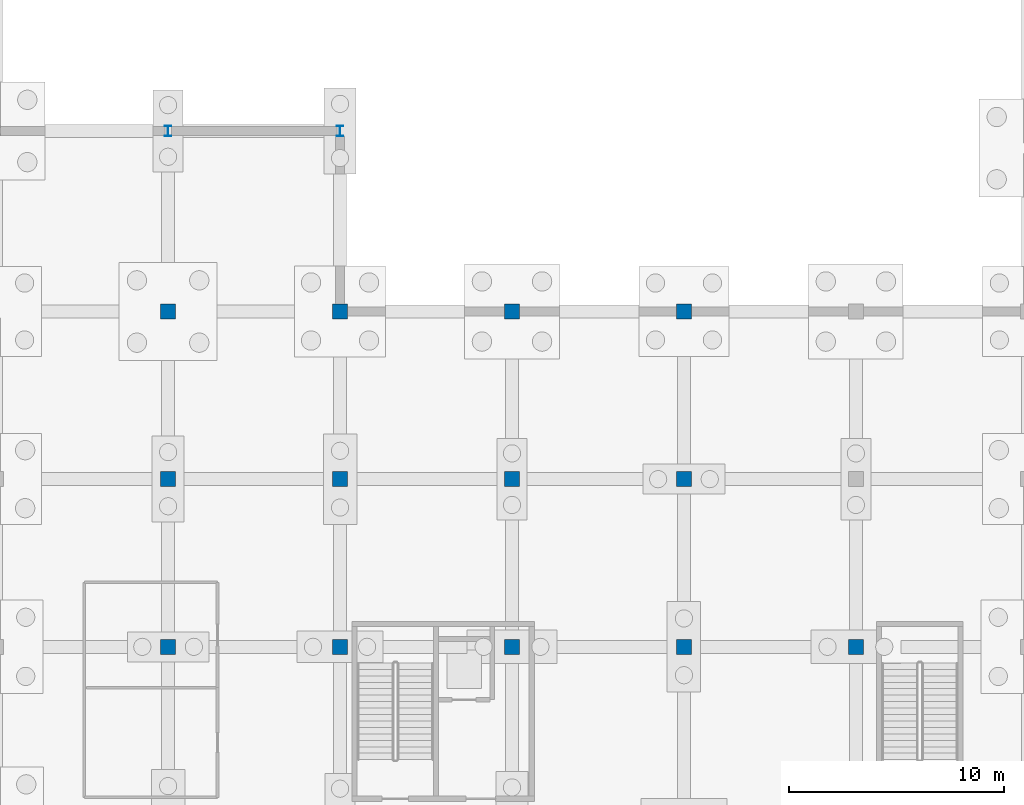
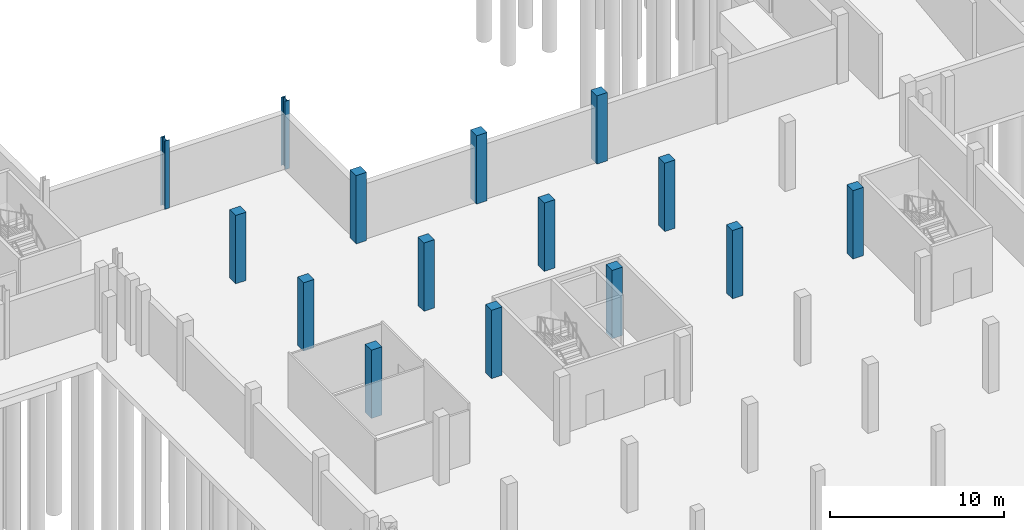
# One storey, part 25 of 44: 15 columns.
"""IFC4 building model written with IfcOpenShell, lengths in metres."""

from ifc_helpers import new_model, si_unit, direction, frame, origin, origin_2d, place, context, subcontext, project, spatial, rectangle, i_section, extrude, material, material_profile, profile_set, type_object, element, save


model = new_model("IFC4")

# Units and contexts
model_context = context("Model", 3, precision=1e-05, world=origin(), true_north=direction((0.0, 1.0)))
body_context = subcontext(model_context, "Body", "Model", "MODEL_VIEW")
ifc_project = project(units=[si_unit("LENGTHUNIT", "METRE"), si_unit("AREAUNIT", "SQUARE_METRE"), si_unit("VOLUMEUNIT", "CUBIC_METRE"), si_unit("PLANEANGLEUNIT", "RADIAN"), si_unit("MASSUNIT", "GRAM", prefix="KILO")], contexts=[model_context])

# Site, building, storey
site_placement = place(None, origin())
site = spatial("IfcSite", under=ifc_project, at=site_placement, CompositionType="ELEMENT")
building_placement = place(site_placement, origin())
building = spatial("IfcBuilding", under=site, at=building_placement, Name="Yukiwa Park Conservatory and Herbarium", CompositionType="ELEMENT")
storey_placement = place(building_placement, frame((0.0, 0.0, -4.800048828125)))
storey = spatial("IfcBuildingStorey", under=building, at=storey_placement, Name="B1", CompositionType="ELEMENT", Elevation=-4.800048828125)

# Columns
ifc_material_1 = material(Name="Concrete C50", Category="concrete")
ifc_material_profile_1 = material_profile(ifc_material_1, rectangle(XDim=0.699951171875, YDim=0.699951171875, at=origin_2d()), Name="RC 700x700")
ifc_profile_set_1 = profile_set([ifc_material_profile_1], Name="Concrete C50")
column_type_1 = type_object("IfcColumnType", Name="COL-B1-RC700", PredefinedType="COLUMN", material=ifc_profile_set_1)
for number, where, z_axis, x_axis, name in (
    (1, (68.0, 62.39990234375, 0.0), (0.0, 0.0, 1.0), (1.0, 0.0, 0.0), "B1 column V3-X680-Y624"),
    (2, (68.0, 70.199951171875, 0.0), (0.0, 0.0, 1.0), (1.0, 0.0, 0.0), "B1 column V3-X680-Y702"),
    (3, (68.0, 78.0, 0.0), (0.0, 0.0, 1.0), (1.0, 0.0, 0.0), "B1 column V3-X680-Y780"),
    (4, (76.0, 62.39990234375, 0.0), (0.0, 0.0, 1.0), (1.0, 0.0, 0.0), "B1 column V3-X760-Y624"),
    (5, (76.0, 70.199951171875, 0.0), (0.0, 0.0, 1.0), (1.0, 0.0, 0.0), "B1 column V3-X760-Y702"),
    (6, (76.0, 78.0, 0.0), (0.0, 0.0, 1.0), (1.0, 0.0, 0.0), "B1 column V3-X760-Y780"),
    (7, (84.0, 62.39990234375, 0.0), (0.0, 0.0, 1.0), (1.0, 0.0, 0.0), "B1 column V3-X840-Y624"),
    (8, (84.0, 70.199951171875, 0.0), (0.0, 0.0, 1.0), (1.0, 0.0, 0.0), "B1 column V3-X840-Y702"),
    (9, (84.0, 78.0, 0.0), (0.0, 0.0, 1.0), (1.0, 0.0, 0.0), "B1 column V3-X840-Y780"),
    (10, (92.0, 62.39990234375, 0.0), (0.0, 0.0, 1.0), (1.0, 0.0, 0.0), "B1 column V3-X920-Y624"),
    (11, (92.0, 70.199951171875, 0.0), (0.0, 0.0, 1.0), (1.0, 0.0, 0.0), "B1 column V3-X920-Y702"),
    (12, (92.0, 78.0, 0.0), (0.0, 0.0, 1.0), (1.0, 0.0, 0.0), "B1 column V3-X920-Y780"),
    (13, (100.0, 62.39990234375, 0.0), (0.0, 0.0, 1.0), (1.0, 0.0, 0.0), "B1 column V3-X1000-Y624"),
):
    element("IfcColumn", number, at=place(storey_placement, frame(where, z_axis=z_axis, x_axis=x_axis)), inside=storey, type_object=column_type_1, Name=name, PredefinedType="COLUMN", context=body_context, shape_type="SweptSolid", body=[
        extrude(rectangle(XDim=0.699951171875, YDim=0.699951171875, at=origin_2d()), origin(), (0.0, 0.0, 1.0), 4.800048828125),
    ])
ifc_material_2 = material(Name="Steel Q355D", Category="steel")
ifc_material_profile_2 = material_profile(ifc_material_2, i_section(OverallWidth=0.300048828125, OverallDepth=0.488037109375, WebThickness=0.010986328125, FlangeThickness=0.01806640625, FilletRadius=0.02392578125, at=origin_2d()), Name="HM 488x300x11x18")
ifc_profile_set_2 = profile_set([ifc_material_profile_2], Name="Steel Q355D")
column_type_2 = type_object("IfcColumnType", Name="COL-VS-HM488", PredefinedType="COLUMN", material=ifc_profile_set_2)
for number, where, z_axis, x_axis, name in (
    (14, (68.0, 86.39990234375, 0.0), (0.0, 0.0, 1.0), (1.0, 0.0, 0.0), "B1 column LNKAV-X680-Y864"),
    (15, (76.0, 86.39990234375, 0.0), (0.0, 0.0, 1.0), (1.0, 0.0, 0.0), "B1 column LNKAV-X760-Y864"),
):
    element("IfcColumn", number, at=place(storey_placement, frame(where, z_axis=z_axis, x_axis=x_axis)), inside=storey, type_object=column_type_2, Name=name, PredefinedType="COLUMN", context=body_context, shape_type="SweptSolid", body=[
        extrude(i_section(OverallWidth=0.300048828125, OverallDepth=0.488037109375, WebThickness=0.010986328125, FlangeThickness=0.01806640625, FilletRadius=0.02392578125, at=origin_2d()), origin(), (0.0, 0.0, 1.0), 4.800048828125),
    ])

save(model, "model.ifc")
